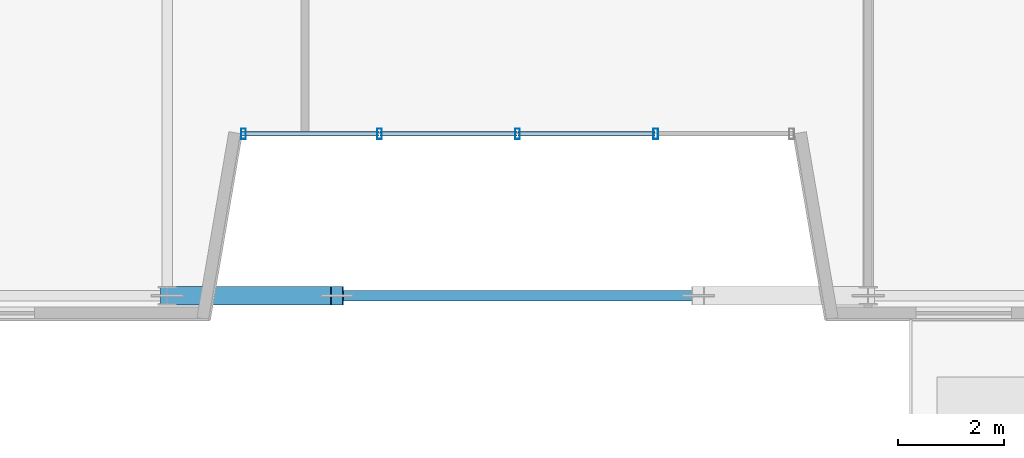
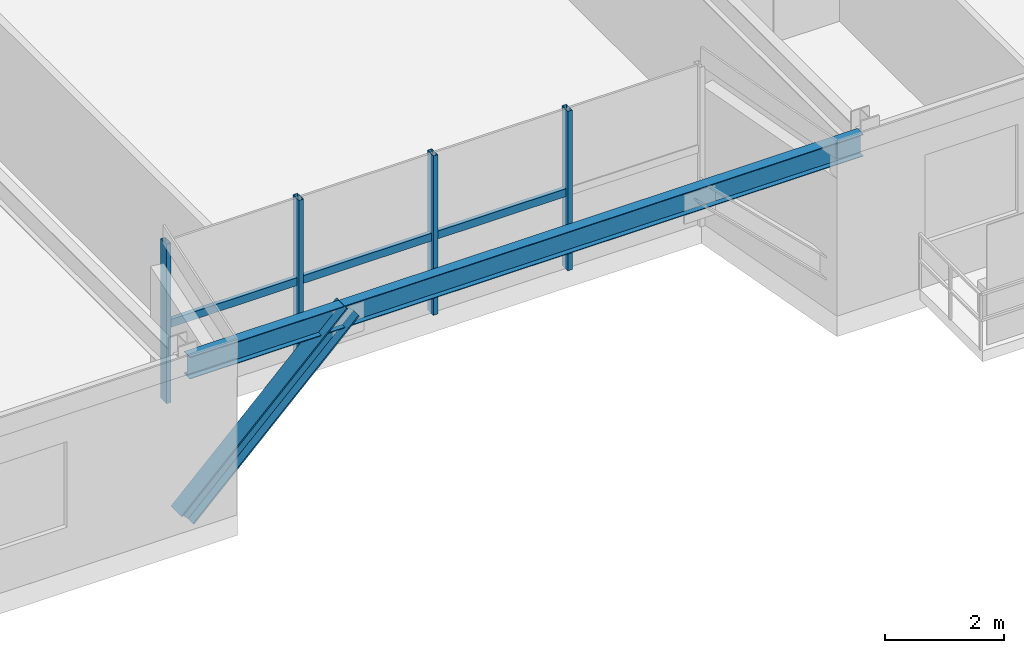
# One storey, part 6 of 28: 8 members, 1 beam, 1 element without a shape of its own.
"""IFC4 building model written with IfcOpenShell, lengths in metres."""

from ifc_helpers import new_model, si_unit, direction, frame, origin, origin_2d, place, context, subcontext, project, spatial, hollow_rectangle, i_section, extrude, source, transform, mapped, material, material_profile, profile_set, type_object, element, aggregate, save


model = new_model("IFC4")

# Units and contexts
model_context = context("Model", 3, precision=1e-05, world=origin(), true_north=direction((0.0, 1.0)))
body_context = subcontext(model_context, "Body", "Model", "MODEL_VIEW")
ifc_project = project(units=[si_unit("LENGTHUNIT", "METRE"), si_unit("AREAUNIT", "SQUARE_METRE"), si_unit("VOLUMEUNIT", "CUBIC_METRE"), si_unit("PLANEANGLEUNIT", "RADIAN"), si_unit("MASSUNIT", "GRAM", prefix="KILO")], contexts=[model_context])

# Site, building, storey
site_placement = place(None, origin())
site = spatial("IfcSite", under=ifc_project, at=site_placement, CompositionType="ELEMENT")
building_placement = place(site_placement, origin())
building = spatial("IfcBuilding", under=site, at=building_placement, Name="Trelvane Seafront Commons", CompositionType="ELEMENT")
storey_placement = place(building_placement, frame((0.0, 0.0, 295.5)))
storey = spatial("IfcBuildingStorey", under=building, at=storey_placement, Name="L77", CompositionType="ELEMENT", Elevation=295.5)

# Beam
ifc_material_1 = material(Name="Steel SM355 (S355)", Category="steel")
ifc_material_profile_1 = material_profile(ifc_material_1, i_section(OverallWidth=0.199951171875, OverallDepth=0.449951171875, WebThickness=0.009033203125, FlangeThickness=0.013916015625, at=origin_2d()), Name="H-450x200x9x14")
ifc_profile_set_1 = profile_set([ifc_material_profile_1], Name="Steel SM355 (S355)")
beam_type = type_object("IfcBeamType", Name="STR-SPD-H450", PredefinedType="SPANDREL", material=ifc_profile_set_1)
shared_shape_1 = source(origin(), body_context, "Body", "SweptSolid", [
    extrude(i_section(OverallWidth=0.199951171875, OverallDepth=0.449951171875, WebThickness=0.009033203125, FlangeThickness=0.013916015625, at=origin_2d()), origin(), (0.0, 0.0, 1.0), 13.02490234375),
])
beam_placement = place(storey_placement, frame((30.6875, 3.949951171875, 3.034912109375), z_axis=(1.0, 0.0, 0.0), x_axis=(0.0, 1.0, 0.0)))
element("IfcBeam", 1, at=beam_placement, inside=storey, type_object=beam_type, Name="L77 Primary Girder G-04", PredefinedType="SPANDREL", context=body_context, shape_type="MappedRepresentation", body=[
    mapped(shared_shape_1, transform((0.0, 0.0, 0.0), x_axis=(1.0, 0.0, 0.0), y_axis=(0.0, 1.0, 0.0), z_axis=(0.0, 0.0, 1.0), scale=1.0)),
])

# Member
ifc_material_profile_2 = material_profile(ifc_material_1, i_section(OverallWidth=0.35009765625, OverallDepth=0.35009765625, WebThickness=0.01806640625, FlangeThickness=0.028076171875, at=origin_2d()), Name="HD-350x350x18x28")
ifc_profile_set_2 = profile_set([ifc_material_profile_2], Name="Steel SM355 (S355)")
member_type_1 = type_object("IfcMemberType", Name="STR-BRC-HD350", PredefinedType="BRACE", material=ifc_profile_set_2)
shared_shape_2 = source(origin(), body_context, "Body", "SweptSolid", [
    extrude(i_section(OverallWidth=0.35009765625, OverallDepth=0.35009765625, WebThickness=0.01806640625, FlangeThickness=0.028076171875, at=origin_2d()), origin(), (0.0, 0.0, 1.0), 4.483154296875),
])
member_1_placement = place(storey_placement, frame((30.60009765625, 3.949951171875, 0.0), z_axis=(0.713773316761, 0.0, 0.700376793077), x_axis=(0.0, 1.0, 0.0)))
element("IfcMember", 2, at=member_1_placement, inside=storey, type_object=member_type_1, Name="L77 Sky-Garden V-Chevron Brace SGV-W", PredefinedType="BRACE", context=body_context, shape_type="MappedRepresentation", body=[
    mapped(shared_shape_2, transform((0.0, 0.0, 0.0), x_axis=(1.0, 0.0, 0.0), y_axis=(0.0, 1.0, 0.0), z_axis=(0.0, 0.0, 1.0), scale=1.0)),
])

# Curtain wall, members
ifc_material_2 = material(Name="Anodised pale-silver aluminium", Category="aluminium")
curtain_wall_type = type_object("IfcCurtainWallType", Name="ARCH-CW3-PORTAL", PredefinedType="NOTDEFINED", material=ifc_material_2)
curtain_wall_placement = place(storey_placement, origin())
curtain_wall = element("IfcCurtainWall", 3, at=curtain_wall_placement, inside=storey, type_object=curtain_wall_type, Name="CW-L77-VN-0123", PredefinedType="NOTDEFINED")
ifc_material_profile_3 = material_profile(ifc_material_2, hollow_rectangle(XDim=0.080078125, YDim=0.159912109375, WallThickness=0.00439453125, at=origin_2d()), Name="TRAN-80x160x4.5")
ifc_profile_set_3 = profile_set([ifc_material_profile_3], Name="Anodised pale-silver aluminium")
member_type_2 = type_object("IfcMemberType", Name="ARCH-CW-TRAN-160", PredefinedType="USERDEFINED", material=ifc_profile_set_3)
shared_shape_3 = source(origin(), body_context, "Body", "SweptSolid", [
    extrude(hollow_rectangle(XDim=0.080078125, YDim=0.159912109375, WallThickness=0.00439453125, at=origin_2d()), origin(), (0.0, 0.0, 1.0), 2.575927734375),
])
member_2_placement = place(storey_placement, frame((37.18798828125, 7.0, 1.56494140625), z_axis=(-1.0, 0.0, 0.0), x_axis=(0.0, -1.0, 0.0)))
member_2 = element("IfcMember", 4, at=member_2_placement, type_object=member_type_2, Name="CW-L77-VN-0123-T02", ObjectType="TRANSOM", PredefinedType="USERDEFINED", context=body_context, shape_type="MappedRepresentation", body=[
    mapped(shared_shape_3, transform((0.0, 0.0, 0.0), x_axis=(1.0, 0.0, 0.0), y_axis=(0.0, 1.0, 0.0), z_axis=(0.0, 0.0, 1.0), scale=1.0)),
])
member_3_placement = place(storey_placement, frame((34.587890625, 7.0, 1.56494140625), z_axis=(-1.0, 0.0, 0.0), x_axis=(0.0, -1.0, 0.0)))
member_3 = element("IfcMember", 5, at=member_3_placement, type_object=member_type_2, Name="CW-L77-VN-0123-T03", ObjectType="TRANSOM", PredefinedType="USERDEFINED", context=body_context, shape_type="MappedRepresentation", body=[
    mapped(shared_shape_3, transform((0.0, 0.0, 0.0), x_axis=(1.0, 0.0, 0.0), y_axis=(0.0, 1.0, 0.0), z_axis=(0.0, 0.0, 1.0), scale=1.0)),
])
shared_shape_4 = source(origin(), body_context, "Body", "SweptSolid", [
    extrude(hollow_rectangle(XDim=0.080078125, YDim=0.159912109375, WallThickness=0.00439453125, at=origin_2d()), origin(), (0.0, 0.0, 1.0), 2.576171875),
])
member_4_placement = place(storey_placement, frame((39.7880859375, 7.0, 1.56494140625), z_axis=(-1.0, 0.0, 0.0), x_axis=(0.0, -1.0, 0.0)))
member_4 = element("IfcMember", 6, at=member_4_placement, type_object=member_type_2, Name="CW-L77-VN-0123-T01", ObjectType="TRANSOM", PredefinedType="USERDEFINED", context=body_context, shape_type="MappedRepresentation", body=[
    mapped(shared_shape_4, transform((0.0, 0.0, 0.0), x_axis=(1.0, 0.0, 0.0), y_axis=(0.0, 1.0, 0.0), z_axis=(0.0, 0.0, 1.0), scale=1.0)),
])
ifc_material_profile_4 = material_profile(ifc_material_2, hollow_rectangle(XDim=0.090087890625, YDim=0.199951171875, WallThickness=0.0048828125, at=origin_2d()), Name="MULL-90x200x5")
ifc_profile_set_4 = profile_set([ifc_material_profile_4], Name="Anodised pale-silver aluminium")
member_type_3 = type_object("IfcMemberType", Name="ARCH-CW-MULL-200", PredefinedType="MULLION", material=ifc_profile_set_4)
shared_shape_5 = source(origin(), body_context, "Body", "SweptSolid", [
    extrude(hollow_rectangle(XDim=0.090087890625, YDim=0.199951171875, WallThickness=0.0048828125, at=origin_2d()), origin(), (0.0, 0.0, 1.0), 3.260009765625),
])
member_5_placement = place(storey_placement, frame((39.800048828125, 7.0, 0.0), z_axis=(0.0, 0.0, 1.0), x_axis=(1.0, 0.0, 0.0)))
member_5 = element("IfcMember", 7, at=member_5_placement, type_object=member_type_3, Name="CW-L77-VN-0123-M01", PredefinedType="MULLION", context=body_context, shape_type="MappedRepresentation", body=[
    mapped(shared_shape_5, transform((0.0, 0.0, 0.0), x_axis=(1.0, 0.0, 0.0), y_axis=(0.0, 1.0, 0.0), z_axis=(0.0, 0.0, 1.0), scale=1.0)),
])
member_6_placement = place(storey_placement, frame((37.199951171875, 7.0, 0.0), z_axis=(0.0, 0.0, 1.0), x_axis=(1.0, 0.0, 0.0)))
member_6 = element("IfcMember", 8, at=member_6_placement, type_object=member_type_3, Name="CW-L77-VN-0123-M02", PredefinedType="MULLION", context=body_context, shape_type="MappedRepresentation", body=[
    mapped(shared_shape_5, transform((0.0, 0.0, 0.0), x_axis=(1.0, 0.0, 0.0), y_axis=(0.0, 1.0, 0.0), z_axis=(0.0, 0.0, 1.0), scale=1.0)),
])
member_7_placement = place(storey_placement, frame((34.60009765625, 7.0, 0.0), z_axis=(0.0, 0.0, 1.0), x_axis=(1.0, 0.0, 0.0)))
member_7 = element("IfcMember", 9, at=member_7_placement, type_object=member_type_3, Name="CW-L77-VN-0123-M03", PredefinedType="MULLION", context=body_context, shape_type="MappedRepresentation", body=[
    mapped(shared_shape_5, transform((0.0, 0.0, 0.0), x_axis=(1.0, 0.0, 0.0), y_axis=(0.0, 1.0, 0.0), z_axis=(0.0, 0.0, 1.0), scale=1.0)),
])
member_8_placement = place(storey_placement, frame((32.0400390625, 7.0, 0.0), z_axis=(0.0, 0.0, 1.0), x_axis=(1.0, 0.0, 0.0)))
member_8 = element("IfcMember", 10, at=member_8_placement, type_object=member_type_3, Name="CW-L77-VN-0123-M04", PredefinedType="MULLION", context=body_context, shape_type="MappedRepresentation", body=[
    mapped(shared_shape_5, transform((0.0, 0.0, 0.0), x_axis=(1.0, 0.0, 0.0), y_axis=(0.0, 1.0, 0.0), z_axis=(0.0, 0.0, 1.0), scale=1.0)),
])
aggregate(curtain_wall, [member_5, member_6, member_7, member_8, member_4, member_2, member_3])

save(model, "model.ifc")
